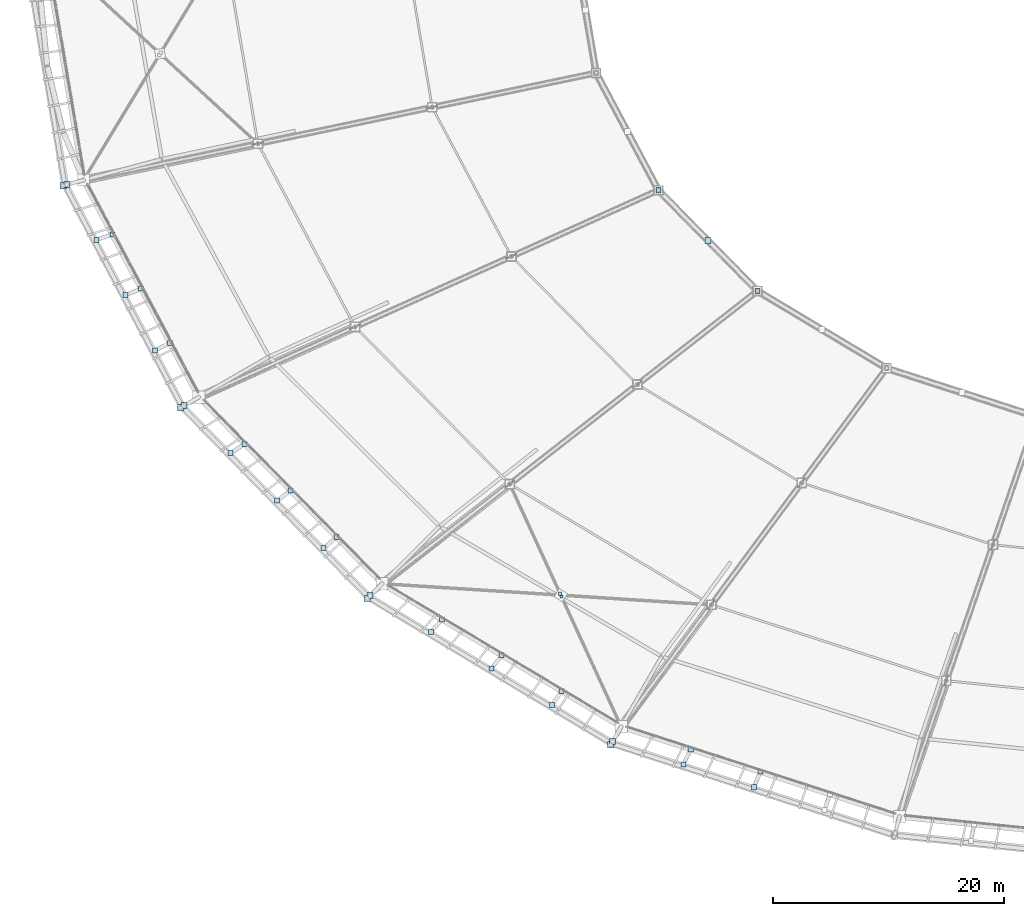
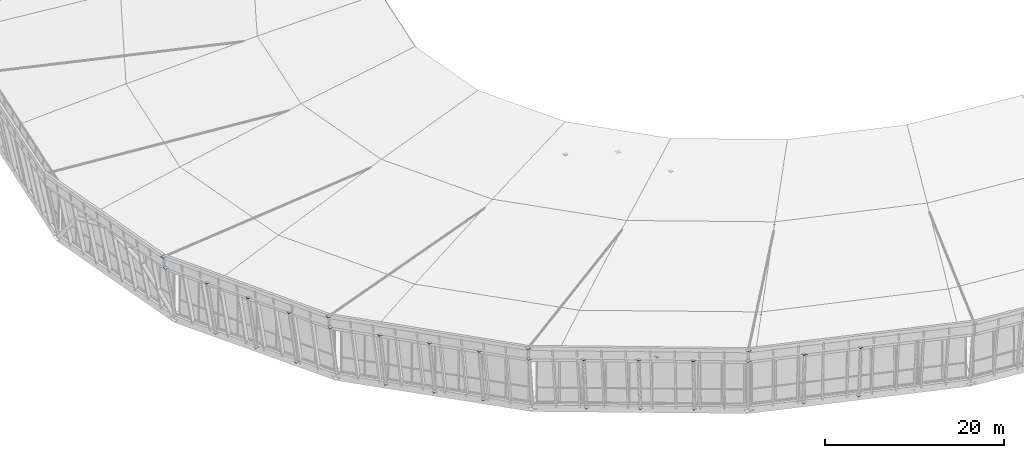
# One storey, part 100 of 115: 35 plates.
"""IFC4 building model written with IfcOpenShell, lengths in metres."""

from ifc_helpers import new_model, si_unit, direction, frame, origin, origin_2d, place, context, subcontext, project, spatial, rectangle, extrude, material, layer, layer_set, type_object, element, save


model = new_model("IFC4")

# Units and contexts
model_context = context("Model", 3, precision=1e-05, world=origin(), true_north=direction((0.0, 1.0)))
body_context = subcontext(model_context, "Body", "Model", "MODEL_VIEW")
ifc_project = project(units=[si_unit("LENGTHUNIT", "METRE"), si_unit("AREAUNIT", "SQUARE_METRE"), si_unit("VOLUMEUNIT", "CUBIC_METRE"), si_unit("PLANEANGLEUNIT", "RADIAN"), si_unit("MASSUNIT", "GRAM", prefix="KILO")], contexts=[model_context])

# Site, building, storey
site_placement = place(None, origin())
site = spatial("IfcSite", under=ifc_project, at=site_placement, CompositionType="ELEMENT")
building_placement = place(site_placement, origin())
building = spatial("IfcBuilding", under=site, at=building_placement, Name="Zlatoyarsky Gate Stadium", CompositionType="ELEMENT")
storey_placement = place(building_placement, frame((0.0, 0.0, 31.800048828125)))
storey = spatial("IfcBuildingStorey", under=building, at=storey_placement, Name="RF", CompositionType="ELEMENT", Elevation=31.800048828125)

# Plates
ifc_material = material(Name="Steel S355", Category="steel")
ifc_layer = layer(ifc_material, 0.02392578125)
ifc_layer_set = layer_set([ifc_layer], Name="Steel S355")
plate_type = type_object("IfcPlateType", Name="STEEL HOLLOW CHORD SPLICE SHEET 24", PredefinedType="SHEET", material=ifc_layer_set)
plate_1_placement = place(storey_placement, frame((12.626220703125, 59.334716796875, 8.837890625), z_axis=(0.0, 0.0, 1.0), x_axis=(1.0, 0.0, 0.0)))
element("IfcPlate", 1, at=plate_1_placement, inside=storey, type_object=plate_type, Name="Node closure plate ND-SP1 NCAP-FSC-13", PredefinedType="SHEET", context=body_context, shape_type="SweptSolid", body=[
    extrude(rectangle(XDim=0.56005859375, YDim=0.56005859375, at=origin_2d()), origin(), (0.0, 0.0, 1.0), 0.02392578125),
])
plate_2_placement = place(storey_placement, frame((12.963134765625, 59.425048828125, 7.137939453125), z_axis=(0.0, 0.0, 1.0), x_axis=(1.0, 0.0, 0.0)))
element("IfcPlate", 2, at=plate_2_placement, inside=storey, type_object=plate_type, Name="Node closure plate ND-SP1 NCAP-FSCB-13", PredefinedType="SHEET", context=body_context, shape_type="SweptSolid", body=[
    extrude(rectangle(XDim=0.52001953125, YDim=0.52001953125, at=origin_2d()), origin(), (0.0, 0.0, 1.0), 0.02392578125),
])
for number, where, z_axis, x_axis, name in (
    (3, (16.87890625, 55.100341796875, -0.4619140625), (0.0, 0.0, 1.0), (1.0, 0.0, 0.0), "Node closure plate ND-SP1 NCAP-RIB-13-1-4T"),
    (4, (15.497802734375, 54.6318359375, 7.137939453125), (0.0, 0.0, 1.0), (1.0, 0.0, 0.0), "Node closure plate ND-SP1 NCAP-RIB-13-1-5T"),
    (5, (19.377197265625, 50.3955078125, -0.4619140625), (0.0, 0.0, 1.0), (1.0, 0.0, 0.0), "Node closure plate ND-SP1 NCAP-RIB-13-2-4T"),
    (6, (18.03271484375, 49.8388671875, 7.137939453125), (0.0, 0.0, 1.0), (1.0, 0.0, 0.0), "Node closure plate ND-SP1 NCAP-RIB-13-2-5T"),
    (7, (21.87548828125, 45.69091796875, -0.4619140625), (0.0, 0.0, 1.0), (1.0, 0.0, 0.0), "Node closure plate ND-SP1 NCAP-RIB-13-3-4T"),
    (8, (20.567626953125, 45.045654296875, 7.137939453125), (0.0, 0.0, 1.0), (1.0, 0.0, 0.0), "Node closure plate ND-SP1 NCAP-RIB-13-3-5T"),
):
    element("IfcPlate", number, at=place(storey_placement, frame(where, z_axis=z_axis, x_axis=x_axis)), inside=storey, type_object=plate_type, Name=name, PredefinedType="SHEET", context=body_context, shape_type="SweptSolid", body=[
        extrude(rectangle(XDim=0.43994140625, YDim=0.43994140625, at=origin_2d()), origin(), (0.0, 0.0, 1.0), 0.02392578125),
    ])
plate_3_placement = place(storey_placement, frame((22.80029296875, 40.077880859375, 8.837890625), z_axis=(0.0, 0.0, 1.0), x_axis=(1.0, 0.0, 0.0)))
element("IfcPlate", 9, at=plate_3_placement, inside=storey, type_object=plate_type, Name="Node closure plate ND-SP1 NCAP-FSC-14", PredefinedType="SHEET", context=body_context, shape_type="SweptSolid", body=[
    extrude(rectangle(XDim=0.56005859375, YDim=0.56005859375, at=origin_2d()), origin(), (0.0, 0.0, 1.0), 0.02392578125),
])
plate_4_placement = place(storey_placement, frame((23.1025390625, 40.25244140625, 7.137939453125), z_axis=(0.0, 0.0, 1.0), x_axis=(1.0, 0.0, 0.0)))
element("IfcPlate", 10, at=plate_4_placement, inside=storey, type_object=plate_type, Name="Node closure plate ND-SP1 NCAP-FSCB-14", PredefinedType="SHEET", context=body_context, shape_type="SweptSolid", body=[
    extrude(rectangle(XDim=0.52001953125, YDim=0.52001953125, at=origin_2d()), origin(), (0.0, 0.0, 1.0), 0.02392578125),
])
for number, where, z_axis, x_axis, name in (
    (11, (28.34765625, 36.9462890625, -0.4619140625), (0.0, 0.0, 1.0), (1.0, 0.0, 0.0), "Node closure plate ND-SP1 NCAP-RIB-14-1-4T"),
    (12, (27.135009765625, 36.136474609375, 7.137939453125), (0.0, 0.0, 1.0), (1.0, 0.0, 0.0), "Node closure plate ND-SP1 NCAP-RIB-14-1-5T"),
    (13, (32.32177734375, 32.90625, -0.4619140625), (0.0, 0.0, 1.0), (1.0, 0.0, 0.0), "Node closure plate ND-SP1 NCAP-RIB-14-2-4T"),
    (14, (31.167236328125, 32.0205078125, 7.137939453125), (0.0, 0.0, 1.0), (1.0, 0.0, 0.0), "Node closure plate ND-SP1 NCAP-RIB-14-2-5T"),
    (15, (36.295654296875, 28.8662109375, -0.4619140625), (0.0, 0.0, 1.0), (1.0, 0.0, 0.0), "Node closure plate ND-SP1 NCAP-RIB-14-3-4T"),
    (16, (35.19970703125, 27.904296875, 7.137939453125), (0.0, 0.0, 1.0), (1.0, 0.0, 0.0), "Node closure plate ND-SP1 NCAP-RIB-14-3-5T"),
):
    element("IfcPlate", number, at=place(storey_placement, frame(where, z_axis=z_axis, x_axis=x_axis)), inside=storey, type_object=plate_type, Name=name, PredefinedType="SHEET", context=body_context, shape_type="SweptSolid", body=[
        extrude(rectangle(XDim=0.43994140625, YDim=0.43994140625, at=origin_2d()), origin(), (0.0, 0.0, 1.0), 0.02392578125),
    ])
plate_5_placement = place(storey_placement, frame((68.513671875, 54.5693359375, 6.43798828125), z_axis=(0.0, 0.0, 1.0), x_axis=(1.0, 0.0, 0.0)))
element("IfcPlate", 17, at=plate_5_placement, inside=storey, type_object=plate_type, Name="Node closure plate ND-SP1 NCAP-CATM-14", PredefinedType="SHEET", context=body_context, shape_type="SweptSolid", body=[
    extrude(rectangle(XDim=0.52001953125, YDim=0.52001953125, at=origin_2d()), origin(), (0.0, 0.0, 1.0), 0.02392578125),
])
plate_6_placement = place(storey_placement, frame((64.2216796875, 58.9326171875, 4.988037109375), z_axis=(0.0, 0.0, 1.0), x_axis=(1.0, 0.0, 0.0)))
element("IfcPlate", 18, at=plate_6_placement, inside=storey, type_object=plate_type, Name="Node closure plate ND-SP1 NCAP-CAT-14", PredefinedType="SHEET", context=body_context, shape_type="SweptSolid", body=[
    extrude(rectangle(XDim=0.449951171875, YDim=0.449951171875, at=origin_2d()), origin(), (0.0, 0.0, 1.0), 0.02392578125),
])
plate_7_placement = place(storey_placement, frame((38.9853515625, 23.54150390625, 8.837890625), z_axis=(0.0, 0.0, 1.0), x_axis=(1.0, 0.0, 0.0)))
element("IfcPlate", 19, at=plate_7_placement, inside=storey, type_object=plate_type, Name="Node closure plate ND-SP1 NCAP-FSC-15", PredefinedType="SHEET", context=body_context, shape_type="SweptSolid", body=[
    extrude(rectangle(XDim=0.56005859375, YDim=0.56005859375, at=origin_2d()), origin(), (0.0, 0.0, 1.0), 0.02392578125),
])
plate_8_placement = place(storey_placement, frame((39.23193359375, 23.788330078125, 7.137939453125), z_axis=(0.0, 0.0, 1.0), x_axis=(1.0, 0.0, 0.0)))
element("IfcPlate", 20, at=plate_8_placement, inside=storey, type_object=plate_type, Name="Node closure plate ND-SP1 NCAP-FSCB-15", PredefinedType="SHEET", context=body_context, shape_type="SweptSolid", body=[
    extrude(rectangle(XDim=0.52001953125, YDim=0.52001953125, at=origin_2d()), origin(), (0.0, 0.0, 1.0), 0.02392578125),
])
for number, where, z_axis, x_axis, name in (
    (21, (45.448974609375, 21.72607421875, -0.4619140625), (0.0, 0.0, 1.0), (1.0, 0.0, 0.0), "Node closure plate ND-SP1 NCAP-RIB-15-1-4T"),
    (22, (44.487060546875, 20.6298828125, 7.137939453125), (0.0, 0.0, 1.0), (1.0, 0.0, 0.0), "Node closure plate ND-SP1 NCAP-RIB-15-1-5T"),
    (23, (50.6279296875, 18.626220703125, -0.4619140625), (0.0, 0.0, 1.0), (1.0, 0.0, 0.0), "Node closure plate ND-SP1 NCAP-RIB-15-2-4T"),
    (24, (49.7421875, 17.4716796875, 7.137939453125), (0.0, 0.0, 1.0), (1.0, 0.0, 0.0), "Node closure plate ND-SP1 NCAP-RIB-15-2-5T"),
    (25, (55.80712890625, 15.526123046875, -0.4619140625), (0.0, 0.0, 1.0), (1.0, 0.0, 0.0), "Node closure plate ND-SP1 NCAP-RIB-15-3-4T"),
    (26, (54.997314453125, 14.3134765625, 7.137939453125), (0.0, 0.0, 1.0), (1.0, 0.0, 0.0), "Node closure plate ND-SP1 NCAP-RIB-15-3-5T"),
):
    element("IfcPlate", number, at=place(storey_placement, frame(where, z_axis=z_axis, x_axis=x_axis)), inside=storey, type_object=plate_type, Name=name, PredefinedType="SHEET", context=body_context, shape_type="SweptSolid", body=[
        extrude(rectangle(XDim=0.43994140625, YDim=0.43994140625, at=origin_2d()), origin(), (0.0, 0.0, 1.0), 0.02392578125),
    ])
plate_9_placement = place(storey_placement, frame((72.8056640625, 50.2060546875, 4.988037109375), z_axis=(0.0, 0.0, 1.0), x_axis=(1.0, 0.0, 0.0)))
element("IfcPlate", 27, at=plate_9_placement, inside=storey, type_object=plate_type, Name="Node closure plate ND-SP1 NCAP-CAT-15", PredefinedType="SHEET", context=body_context, shape_type="SweptSolid", body=[
    extrude(rectangle(XDim=0.449951171875, YDim=0.449951171875, at=origin_2d()), origin(), (0.0, 0.0, 1.0), 0.02392578125),
])
for number, where, z_axis, x_axis, name in (
    (28, (55.805908203125, 23.71044921875, 1.5625), (0.0, 0.0, 1.0), (1.0, 0.0, 0.0), "Node closure plate ND-SP1 NCAP-XBH1-15"),
    (29, (55.693359375, 23.955078125, 1.60205078125), (0.0, 0.0, 1.0), (1.0, 0.0, 0.0), "Node closure plate ND-SP1 NCAP-XBH2-15"),
):
    element("IfcPlate", number, at=place(storey_placement, frame(where, z_axis=z_axis, x_axis=x_axis)), inside=storey, type_object=plate_type, Name=name, PredefinedType="SHEET", context=body_context, shape_type="SweptSolid", body=[
        extrude(rectangle(XDim=0.280029296875, YDim=0.280029296875, at=origin_2d()), origin(), (0.0, 0.0, 1.0), 0.02392578125),
    ])
plate_10_placement = place(storey_placement, frame((60.077880859375, 10.852783203125, 8.837890625), z_axis=(0.0, 0.0, 1.0), x_axis=(1.0, 0.0, 0.0)))
element("IfcPlate", 30, at=plate_10_placement, inside=storey, type_object=plate_type, Name="Node closure plate ND-SP1 NCAP-FSC-16", PredefinedType="SHEET", context=body_context, shape_type="SweptSolid", body=[
    extrude(rectangle(XDim=0.56005859375, YDim=0.56005859375, at=origin_2d()), origin(), (0.0, 0.0, 1.0), 0.02392578125),
])
plate_11_placement = place(storey_placement, frame((60.252197265625, 11.155029296875, 7.137939453125), z_axis=(0.0, 0.0, 1.0), x_axis=(1.0, 0.0, 0.0)))
element("IfcPlate", 31, at=plate_11_placement, inside=storey, type_object=plate_type, Name="Node closure plate ND-SP1 NCAP-FSCB-16", PredefinedType="SHEET", context=body_context, shape_type="SweptSolid", body=[
    extrude(rectangle(XDim=0.52001953125, YDim=0.52001953125, at=origin_2d()), origin(), (0.0, 0.0, 1.0), 0.02392578125),
])
for number, where, z_axis, x_axis, name in (
    (32, (67.017333984375, 10.477294921875, -0.4619140625), (0.0, 0.0, 1.0), (1.0, 0.0, 0.0), "Node closure plate ND-SP1 NCAP-RIB-16-1-4T"),
    (33, (66.3720703125, 9.169677734375, 7.137939453125), (0.0, 0.0, 1.0), (1.0, 0.0, 0.0), "Node closure plate ND-SP1 NCAP-RIB-16-1-5T"),
    (34, (73.048583984375, 8.528564453125, -0.4619140625), (0.0, 0.0, 1.0), (1.0, 0.0, 0.0), "Node closure plate ND-SP1 NCAP-RIB-16-2-4T"),
    (35, (72.49169921875, 7.18408203125, 7.137939453125), (0.0, 0.0, 1.0), (1.0, 0.0, 0.0), "Node closure plate ND-SP1 NCAP-RIB-16-2-5T"),
):
    element("IfcPlate", number, at=place(storey_placement, frame(where, z_axis=z_axis, x_axis=x_axis)), inside=storey, type_object=plate_type, Name=name, PredefinedType="SHEET", context=body_context, shape_type="SweptSolid", body=[
        extrude(rectangle(XDim=0.43994140625, YDim=0.43994140625, at=origin_2d()), origin(), (0.0, 0.0, 1.0), 0.02392578125),
    ])

save(model, "model.ifc")
